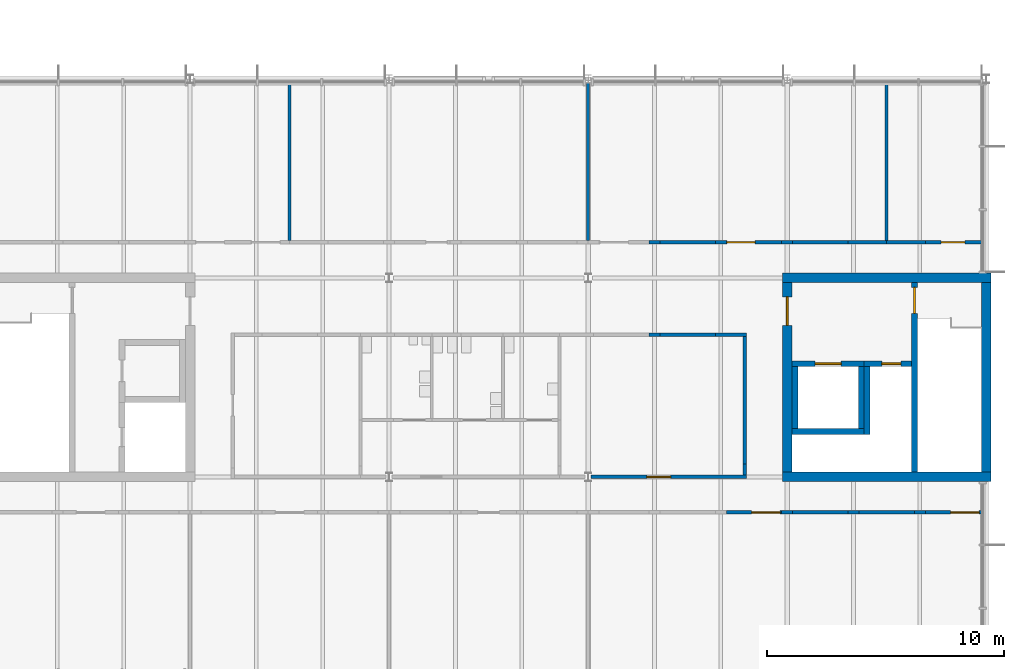
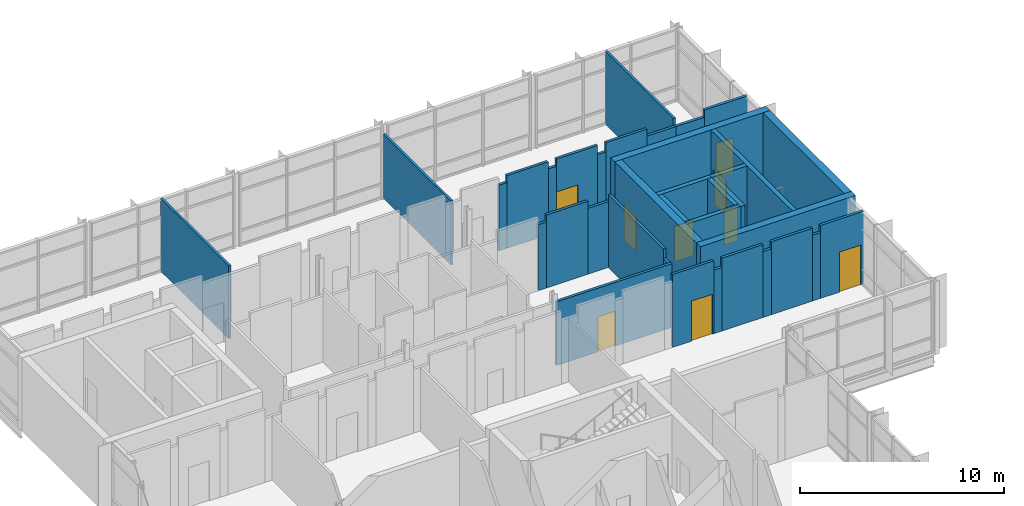
# One storey, part 39 of 76: 36 walls, 9 doors, 9 openings.
"""IFC4 building model written with IfcOpenShell, lengths in metres."""

from ifc_helpers import new_model, si_unit, direction, frame, frame_2d, origin, place, context, subcontext, project, spatial, rectangle, extrude, material, layer, layer_set, type_object, element, fill, save


model = new_model("IFC4")

# Units and contexts
model_context = context("Model", 3, precision=1e-05, world=origin(), true_north=direction((0.0, 1.0)))
body_context = subcontext(model_context, "Body", "Model", "MODEL_VIEW")
ifc_project = project(units=[si_unit("LENGTHUNIT", "METRE"), si_unit("AREAUNIT", "SQUARE_METRE"), si_unit("VOLUMEUNIT", "CUBIC_METRE"), si_unit("PLANEANGLEUNIT", "RADIAN"), si_unit("MASSUNIT", "GRAM", prefix="KILO")], contexts=[model_context])

# Site, building, storey
site_placement = place(None, origin())
site = spatial("IfcSite", under=ifc_project, at=site_placement, CompositionType="ELEMENT")
building_placement = place(site_placement, origin())
building = spatial("IfcBuilding", under=site, at=building_placement, Name="Hlaing Beacon Police Headquarters", CompositionType="ELEMENT")
storey_placement = place(building_placement, frame((0.0, 0.0, 18.89990234375)))
storey = spatial("IfcBuildingStorey", under=building, at=storey_placement, Name="L04", CompositionType="ELEMENT", Elevation=18.89990234375)

# Walls
ifc_material_1 = material(Name="Concrete C60/75", Category="concrete")
ifc_layer_1 = layer(ifc_material_1, 0.39990234375)
ifc_layer_set_1 = layer_set([ifc_layer_1], Name="Concrete C60/75")
wall_type_1 = type_object("IfcWallType", Name="Core shear wall 400", PredefinedType="SHEAR", material=ifc_layer_set_1)
for number, where, z_axis, x_axis, name in (
    (1, (125.800048828125, 75.60009765625, 0.0), (0.0, 0.0, 1.0), (1.0, 0.0, 0.0), "Core shear wall"),
    (2, (125.800048828125, 84.0, 0.0), (0.0, 0.0, 1.0), (1.0, 0.0, 0.0), "Core shear wall"),
):
    element("IfcWall", number, at=place(storey_placement, frame(where, z_axis=z_axis, x_axis=x_axis)), inside=storey, type_object=wall_type_1, Name=name, PredefinedType="SHEAR", context=body_context, shape_type="SweptSolid", body=[
        extrude(rectangle(XDim=8.800048828125, YDim=0.39990234375, at=frame_2d((4.39990234375, 0.0))), origin(), (0.0, 0.0, 1.0), 4.3701171875),
    ])

# Wall, opening, door
wall_1_placement = place(storey_placement, frame((126.0, 75.800048828125, 0.0), z_axis=(0.0, 0.0, 1.0), x_axis=(0.0, 1.0, 0.0)))
wall_1 = element("IfcWall", 3, at=wall_1_placement, inside=storey, type_object=wall_type_1, Name="Core shear wall", PredefinedType="SHEAR", context=body_context, shape_type="SweptSolid", body=[
    extrude(rectangle(XDim=8.0, YDim=0.39990234375, at=frame_2d((4.0, 0.0))), origin(), (0.0, 0.0, 1.0), 4.3701171875),
])
opening_1_placement = place(wall_1_placement, frame((6.199951171875, 0.0, 0.0)))
opening_1 = element("IfcOpeningElement", 4, at=opening_1_placement, cuts=wall_1, Name="Opening L04-936", PredefinedType="OPENING", context=body_context, shape_type="SweptSolid", body=[
    extrude(rectangle(XDim=1.199951171875, YDim=2.10009765625, at=frame_2d((0.60009765625, 1.050048828125))), frame((0.0, 0.2099609375, 0.0), z_axis=(0.0, -1.0, 0.0), x_axis=(1.0, 0.0, 0.0)), (0.0, 0.0, 1.0), 0.419921875),
])
ifc_material_2 = material(Name="Steel fire door leaf", Category="steel")
ifc_layer_2 = layer(ifc_material_2, 0.070068359375)
ifc_layer_set_2 = layer_set([ifc_layer_2], Name="Steel fire door leaf")
door_type_1 = type_object("IfcDoorType", Name="Steel fire door FD60S 1200x2100", OperationType="SINGLE_SWING_LEFT", PredefinedType="DOOR", material=ifc_layer_set_2)
door_1_placement = place(opening_1_placement, frame((1.199951171875, 0.0, 0.0), z_axis=(0.0, 0.0, 1.0), x_axis=(-1.0, 0.0, 0.0)))
door_1 = element("IfcDoor", 5, at=door_1_placement, inside=storey, type_object=door_type_1, Name="Door Firefighting Lobby Entry", OperationType="SINGLE_SWING_LEFT", OverallHeight=2.10009765625, OverallWidth=1.199951171875, PredefinedType="DOOR", context=body_context, shape_type="SweptSolid", body=[
    extrude(rectangle(XDim=1.199951171875, YDim=2.10009765625, at=frame_2d((0.599853515625, 1.050048828125))), frame((0.0, 0.034912109375, 0.0), z_axis=(0.0, -1.0, 0.0), x_axis=(1.0, 0.0, 0.0)), (0.0, 0.0, 1.0), 0.070068359375),
])
fill(opening_1, door_1)

# Wall
wall_2_placement = place(storey_placement, frame((134.39990234375, 75.800048828125, 0.0), z_axis=(0.0, 0.0, 1.0), x_axis=(0.0, 1.0, 0.0)))
element("IfcWall", 6, at=wall_2_placement, inside=storey, type_object=wall_type_1, Name="Core shear wall", PredefinedType="SHEAR", context=body_context, shape_type="SweptSolid", body=[
    extrude(rectangle(XDim=8.0, YDim=0.39990234375, at=frame_2d((4.0, 0.0))), origin(), (0.0, 0.0, 1.0), 4.3701171875),
])

# Wall, opening, door
ifc_material_3 = material(Name="Gypsum board partition")
ifc_layer_3 = layer(ifc_material_3, 0.14990234375)
ifc_layer_set_3 = layer_set([ifc_layer_3], Name="Gypsum board partition")
wall_type_2 = type_object("IfcWallType", Name="Corridor wall EI 30 150", PredefinedType="PARTITIONING", material=ifc_layer_set_3)
wall_3_placement = place(storey_placement, frame((117.72802734375, 75.60009765625, 0.0), z_axis=(0.0, 0.0, 1.0), x_axis=(1.0, 0.0, 0.0)))
wall_3 = element("IfcWall", 7, at=wall_3_placement, inside=storey, type_object=wall_type_2, Name="Corridor wall EI 30 150", PredefinedType="PARTITIONING", context=body_context, shape_type="SweptSolid", body=[
    extrude(rectangle(XDim=6.546875, YDim=0.14990234375, at=frame_2d((3.2734375, 0.0))), origin(), (0.0, 0.0, 1.0), 3.819091796875),
])
opening_2_placement = place(wall_3_placement, frame((2.35009765625, 0.0, 0.0)))
opening_2 = element("IfcOpeningElement", 8, at=opening_2_placement, cuts=wall_3, Name="Opening L04-026", PredefinedType="OPENING", context=body_context, shape_type="SweptSolid", body=[
    extrude(rectangle(XDim=1.0, YDim=2.10009765625, at=frame_2d((0.5, 1.050048828125))), frame((0.0, 0.0849609375, 0.0), z_axis=(0.0, -1.0, 0.0), x_axis=(1.0, 0.0, 0.0)), (0.0, 0.0, 1.0), 0.169921875),
])
ifc_material_4 = material(Name="Hardwood door leaf", Category="wood")
ifc_layer_4 = layer(ifc_material_4, 0.050048828125)
ifc_layer_set_4 = layer_set([ifc_layer_4], Name="Hardwood door leaf")
door_type_2 = type_object("IfcDoorType", Name="Fire door FD30S 1000x2100", OperationType="SINGLE_SWING_LEFT", PredefinedType="DOOR", material=ifc_layer_set_4)
door_2_placement = place(opening_2_placement, origin())
door_2 = element("IfcDoor", 9, at=door_2_placement, inside=storey, type_object=door_type_2, Name="Door Training Briefing Room", OperationType="SINGLE_SWING_LEFT", OverallHeight=2.10009765625, OverallWidth=1.0, PredefinedType="DOOR", context=body_context, shape_type="SweptSolid", body=[
    extrude(rectangle(XDim=1.0, YDim=2.10009765625, at=frame_2d((0.5, 1.050048828125))), frame((0.0, 0.02490234375, 0.0), z_axis=(0.0, -1.0, 0.0), x_axis=(1.0, 0.0, 0.0)), (0.0, 0.0, 1.0), 0.050048828125),
])
fill(opening_2, door_2)

# Walls
wall_4_placement = place(storey_placement, frame((120.169921875, 81.60009765625, 0.0), z_axis=(0.0, 0.0, 1.0), x_axis=(1.0, 0.0, 0.0)))
element("IfcWall", 10, at=wall_4_placement, inside=storey, type_object=wall_type_2, Name="Corridor wall EI 30 150", PredefinedType="PARTITIONING", context=body_context, shape_type="SweptSolid", body=[
    extrude(rectangle(XDim=0.4599609375, YDim=0.14990234375, at=frame_2d((0.22998046875, 0.0))), origin(), (0.0, 0.0, 1.0), 3.946044921875),
])
wall_5_placement = place(storey_placement, frame((120.6298828125, 81.60009765625, 0.0), z_axis=(0.0, 0.0, 1.0), x_axis=(1.0, 0.0, 0.0)))
element("IfcWall", 11, at=wall_5_placement, inside=storey, type_object=wall_type_2, Name="Corridor wall EI 30 150", PredefinedType="PARTITIONING", context=body_context, shape_type="SweptSolid", body=[
    extrude(rectangle(XDim=2.340087890625, YDim=0.14990234375, at=frame_2d((1.169921875, 0.0))), origin(), (0.0, 0.0, 1.0), 4.3701171875),
])
wall_6_placement = place(storey_placement, frame((122.969970703125, 81.60009765625, 0.0), z_axis=(0.0, 0.0, 1.0), x_axis=(1.0, 0.0, 0.0)))
element("IfcWall", 12, at=wall_6_placement, inside=storey, type_object=wall_type_2, Name="Corridor wall EI 30 150", PredefinedType="PARTITIONING", context=body_context, shape_type="SweptSolid", body=[
    extrude(rectangle(XDim=1.304931640625, YDim=0.14990234375, at=frame_2d((0.65234375, 0.0))), origin(), (0.0, 0.0, 1.0), 3.946044921875),
])
wall_7_placement = place(storey_placement, frame((124.199951171875, 75.675048828125, 0.0), z_axis=(0.0, 0.0, 1.0), x_axis=(0.0, 1.0, 0.0)))
element("IfcWall", 13, at=wall_7_placement, inside=storey, type_object=wall_type_2, Name="Corridor wall EI 30 150", PredefinedType="PARTITIONING", context=body_context, shape_type="SweptSolid", body=[
    extrude(rectangle(XDim=0.4599609375, YDim=0.14990234375, at=frame_2d((0.22998046875, 0.0))), origin(), (0.0, 0.0, 1.0), 3.819091796875),
])
wall_8_placement = place(storey_placement, frame((124.199951171875, 76.135009765625, 0.0), z_axis=(0.0, 0.0, 1.0), x_axis=(0.0, 1.0, 0.0)))
element("IfcWall", 14, at=wall_8_placement, inside=storey, type_object=wall_type_2, Name="Corridor wall EI 30 150", PredefinedType="PARTITIONING", context=body_context, shape_type="SweptSolid", body=[
    extrude(rectangle(XDim=5.389892578125, YDim=0.14990234375, at=frame_2d((2.69482421875, 0.0))), origin(), (0.0, 0.0, 1.0), 4.3701171875),
])
wall_9_placement = place(storey_placement, frame((120.169921875, 85.5, 0.0), z_axis=(0.0, 0.0, 1.0), x_axis=(1.0, 0.0, 0.0)))
element("IfcWall", 15, at=wall_9_placement, inside=storey, type_object=wall_type_2, Name="Corridor wall EI 30 150", PredefinedType="PARTITIONING", context=body_context, shape_type="SweptSolid", body=[
    extrude(rectangle(XDim=0.4599609375, YDim=0.14990234375, at=frame_2d((0.22998046875, 0.0))), origin(), (0.0, 0.0, 1.0), 3.946044921875),
])
wall_10_placement = place(storey_placement, frame((120.6298828125, 85.5, 0.0), z_axis=(0.0, 0.0, 1.0), x_axis=(1.0, 0.0, 0.0)))
element("IfcWall", 16, at=wall_10_placement, inside=storey, type_object=wall_type_2, Name="Corridor wall EI 30 150", PredefinedType="PARTITIONING", context=body_context, shape_type="SweptSolid", body=[
    extrude(rectangle(XDim=2.340087890625, YDim=0.14990234375, at=frame_2d((1.169921875, 0.0))), origin(), (0.0, 0.0, 1.0), 4.3701171875),
])
wall_11_placement = place(storey_placement, frame((122.969970703125, 85.5, 0.0), z_axis=(0.0, 0.0, 1.0), x_axis=(1.0, 0.0, 0.0)))
element("IfcWall", 17, at=wall_11_placement, inside=storey, type_object=wall_type_2, Name="Corridor wall EI 30 150", PredefinedType="PARTITIONING", context=body_context, shape_type="SweptSolid", body=[
    extrude(rectangle(XDim=0.4599609375, YDim=0.14990234375, at=frame_2d((0.22998046875, 0.0))), origin(), (0.0, 0.0, 1.0), 3.946044921875),
])

# Wall, opening, door
wall_12_placement = place(storey_placement, frame((123.429931640625, 85.5, 0.0), z_axis=(0.0, 0.0, 1.0), x_axis=(1.0, 0.0, 0.0)))
wall_12 = element("IfcWall", 18, at=wall_12_placement, inside=storey, type_object=wall_type_2, Name="Corridor wall EI 30 150", PredefinedType="PARTITIONING", context=body_context, shape_type="SweptSolid", body=[
    extrude(rectangle(XDim=2.340087890625, YDim=0.14990234375, at=frame_2d((1.169921875, 0.0))), origin(), (0.0, 0.0, 1.0), 4.3701171875),
])
opening_3_placement = place(wall_12_placement, frame((0.02001953125, 0.0, 0.0)))
opening_3 = element("IfcOpeningElement", 19, at=opening_3_placement, cuts=wall_12, Name="Opening L04-031", PredefinedType="OPENING", context=body_context, shape_type="SweptSolid", body=[
    extrude(rectangle(XDim=1.199951171875, YDim=2.39990234375, at=frame_2d((0.60009765625, 1.199951171875))), frame((0.0, 0.0849609375, 0.0), z_axis=(0.0, -1.0, 0.0), x_axis=(1.0, 0.0, 0.0)), (0.0, 0.0, 1.0), 0.169921875),
])
ifc_material_5 = material(Name="Hardwood door leaf", Category="wood")
ifc_layer_5 = layer(ifc_material_5, 0.050048828125)
ifc_layer_set_5 = layer_set([ifc_layer_5], Name="Hardwood door leaf")
door_type_3 = type_object("IfcDoorType", Name="Fire public door FD30S 1200x2400", OperationType="SINGLE_SWING_LEFT", PredefinedType="DOOR", material=ifc_layer_set_5)
door_3_placement = place(opening_3_placement, frame((1.199951171875, 0.0, 0.0), z_axis=(0.0, 0.0, 1.0), x_axis=(-1.0, 0.0, 0.0)))
door_3 = element("IfcDoor", 20, at=door_3_placement, inside=storey, type_object=door_type_3, Name="Door First Aid Training Room", OperationType="SINGLE_SWING_LEFT", OverallHeight=2.39990234375, OverallWidth=1.199951171875, PredefinedType="DOOR", context=body_context, shape_type="SweptSolid", body=[
    extrude(rectangle(XDim=1.199951171875, YDim=2.39990234375, at=frame_2d((0.599853515625, 1.199951171875))), frame((0.0, 0.025146484375, 0.0), z_axis=(0.0, -1.0, 0.0), x_axis=(1.0, 0.0, 0.0)), (0.0, 0.0, 1.0), 0.050048828125),
])
fill(opening_3, door_3)

# Walls
wall_13_placement = place(storey_placement, frame((125.77001953125, 85.5, 0.0), z_axis=(0.0, 0.0, 1.0), x_axis=(1.0, 0.0, 0.0)))
element("IfcWall", 21, at=wall_13_placement, inside=storey, type_object=wall_type_2, Name="Corridor wall EI 30 150", PredefinedType="PARTITIONING", context=body_context, shape_type="SweptSolid", body=[
    extrude(rectangle(XDim=0.4599609375, YDim=0.14990234375, at=frame_2d((0.22998046875, 0.0))), origin(), (0.0, 0.0, 1.0), 3.819091796875),
])
wall_14_placement = place(storey_placement, frame((126.22998046875, 85.5, 0.0), z_axis=(0.0, 0.0, 1.0), x_axis=(1.0, 0.0, 0.0)))
element("IfcWall", 22, at=wall_14_placement, inside=storey, type_object=wall_type_2, Name="Corridor wall EI 30 150", PredefinedType="PARTITIONING", context=body_context, shape_type="SweptSolid", body=[
    extrude(rectangle(XDim=2.340087890625, YDim=0.14990234375, at=frame_2d((1.169921875, 0.0))), origin(), (0.0, 0.0, 1.0), 4.3701171875),
])
wall_15_placement = place(storey_placement, frame((128.570068359375, 85.5, 0.0), z_axis=(0.0, 0.0, 1.0), x_axis=(1.0, 0.0, 0.0)))
element("IfcWall", 23, at=wall_15_placement, inside=storey, type_object=wall_type_2, Name="Corridor wall EI 30 150", PredefinedType="PARTITIONING", context=body_context, shape_type="SweptSolid", body=[
    extrude(rectangle(XDim=1.6298828125, YDim=0.14990234375, at=frame_2d((0.81494140625, 0.0))), origin(), (0.0, 0.0, 1.0), 3.946044921875),
])
wall_16_placement = place(storey_placement, frame((130.199951171875, 85.5, 0.0), z_axis=(0.0, 0.0, 1.0), x_axis=(1.0, 0.0, 0.0)))
element("IfcWall", 24, at=wall_16_placement, inside=storey, type_object=wall_type_2, Name="Corridor wall EI 30 150", PredefinedType="PARTITIONING", context=body_context, shape_type="SweptSolid", body=[
    extrude(rectangle(XDim=1.630126953125, YDim=0.14990234375, at=frame_2d((0.81494140625, 0.0))), origin(), (0.0, 0.0, 1.0), 3.946044921875),
])

# Wall, opening, door
wall_17_placement = place(storey_placement, frame((131.830078125, 85.5, 0.0), z_axis=(0.0, 0.0, 1.0), x_axis=(1.0, 0.0, 0.0)))
wall_17 = element("IfcWall", 25, at=wall_17_placement, inside=storey, type_object=wall_type_2, Name="Corridor wall EI 30 150", PredefinedType="PARTITIONING", context=body_context, shape_type="SweptSolid", body=[
    extrude(rectangle(XDim=2.419921875, YDim=0.14990234375, at=frame_2d((1.2099609375, 0.0))), origin(), (0.0, 0.0, 1.0), 4.3701171875),
])
opening_4_placement = place(wall_17_placement, frame((0.669921875, 0.0, 0.0)))
opening_4 = element("IfcOpeningElement", 26, at=opening_4_placement, cuts=wall_17, Name="Opening L04-032", PredefinedType="OPENING", context=body_context, shape_type="SweptSolid", body=[
    extrude(rectangle(XDim=1.0, YDim=2.10009765625, at=frame_2d((0.5, 1.050048828125))), frame((0.0, 0.0849609375, 0.0), z_axis=(0.0, -1.0, 0.0), x_axis=(1.0, 0.0, 0.0)), (0.0, 0.0, 1.0), 0.169921875),
])
door_4_placement = place(opening_4_placement, origin())
door_4 = element("IfcDoor", 27, at=door_4_placement, inside=storey, type_object=door_type_2, Name="Door Training Staff Welfare Room", OperationType="SINGLE_SWING_LEFT", OverallHeight=2.10009765625, OverallWidth=1.0, PredefinedType="DOOR", context=body_context, shape_type="SweptSolid", body=[
    extrude(rectangle(XDim=1.0, YDim=2.10009765625, at=frame_2d((0.5, 1.050048828125))), frame((0.0, 0.02490234375, 0.0), z_axis=(0.0, -1.0, 0.0), x_axis=(1.0, 0.0, 0.0)), (0.0, 0.0, 1.0), 0.050048828125),
])
fill(opening_4, door_4)

wall_18_placement = place(storey_placement, frame((123.429931640625, 74.10009765625, 0.0), z_axis=(0.0, 0.0, 1.0), x_axis=(1.0, 0.0, 0.0)))
wall_18 = element("IfcWall", 28, at=wall_18_placement, inside=storey, type_object=wall_type_2, Name="Corridor wall EI 30 150", PredefinedType="PARTITIONING", context=body_context, shape_type="SweptSolid", body=[
    extrude(rectangle(XDim=2.340087890625, YDim=0.14990234375, at=frame_2d((1.169921875, 0.0))), origin(), (0.0, 0.0, 1.0), 4.3701171875),
])
opening_5_placement = place(wall_18_placement, frame((1.070068359375, 0.0, 0.0)))
opening_5 = element("IfcOpeningElement", 29, at=opening_5_placement, cuts=wall_18, Name="Opening L04-036", PredefinedType="OPENING", context=body_context, shape_type="SweptSolid", body=[
    extrude(rectangle(XDim=1.199951171875, YDim=2.39990234375, at=frame_2d((0.60009765625, 1.199951171875))), frame((0.0, 0.0849609375, 0.0), z_axis=(0.0, -1.0, 0.0), x_axis=(1.0, 0.0, 0.0)), (0.0, 0.0, 1.0), 0.169921875),
])
door_5_placement = place(opening_5_placement, origin())
door_5 = element("IfcDoor", 30, at=door_5_placement, inside=storey, type_object=door_type_3, Name="Door Training Simulation Suite 3", OperationType="SINGLE_SWING_LEFT", OverallHeight=2.39990234375, OverallWidth=1.199951171875, PredefinedType="DOOR", context=body_context, shape_type="SweptSolid", body=[
    extrude(rectangle(XDim=1.199951171875, YDim=2.39990234375, at=frame_2d((0.60009765625, 1.199951171875))), frame((0.0, 0.02490234375, 0.0), z_axis=(0.0, -1.0, 0.0), x_axis=(1.0, 0.0, 0.0)), (0.0, 0.0, 1.0), 0.050048828125),
])
fill(opening_5, door_5)

# Walls
wall_19_placement = place(storey_placement, frame((125.77001953125, 74.10009765625, 0.0), z_axis=(0.0, 0.0, 1.0), x_axis=(1.0, 0.0, 0.0)))
element("IfcWall", 31, at=wall_19_placement, inside=storey, type_object=wall_type_2, Name="Corridor wall EI 30 150", PredefinedType="PARTITIONING", context=body_context, shape_type="SweptSolid", body=[
    extrude(rectangle(XDim=0.4599609375, YDim=0.14990234375, at=frame_2d((0.22998046875, 0.0))), origin(), (0.0, 0.0, 1.0), 3.819091796875),
])
wall_20_placement = place(storey_placement, frame((126.22998046875, 74.10009765625, 0.0), z_axis=(0.0, 0.0, 1.0), x_axis=(1.0, 0.0, 0.0)))
element("IfcWall", 32, at=wall_20_placement, inside=storey, type_object=wall_type_2, Name="Corridor wall EI 30 150", PredefinedType="PARTITIONING", context=body_context, shape_type="SweptSolid", body=[
    extrude(rectangle(XDim=2.340087890625, YDim=0.14990234375, at=frame_2d((1.169921875, 0.0))), origin(), (0.0, 0.0, 1.0), 4.3701171875),
])
wall_21_placement = place(storey_placement, frame((128.570068359375, 74.10009765625, 0.0), z_axis=(0.0, 0.0, 1.0), x_axis=(1.0, 0.0, 0.0)))
element("IfcWall", 33, at=wall_21_placement, inside=storey, type_object=wall_type_2, Name="Corridor wall EI 30 150", PredefinedType="PARTITIONING", context=body_context, shape_type="SweptSolid", body=[
    extrude(rectangle(XDim=0.4599609375, YDim=0.14990234375, at=frame_2d((0.22998046875, 0.0))), origin(), (0.0, 0.0, 1.0), 3.946044921875),
])
wall_22_placement = place(storey_placement, frame((129.030029296875, 74.10009765625, 0.0), z_axis=(0.0, 0.0, 1.0), x_axis=(1.0, 0.0, 0.0)))
element("IfcWall", 34, at=wall_22_placement, inside=storey, type_object=wall_type_2, Name="Corridor wall EI 30 150", PredefinedType="PARTITIONING", context=body_context, shape_type="SweptSolid", body=[
    extrude(rectangle(XDim=2.340087890625, YDim=0.14990234375, at=frame_2d((1.169921875, 0.0))), origin(), (0.0, 0.0, 1.0), 4.3701171875),
])
wall_23_placement = place(storey_placement, frame((131.3701171875, 74.10009765625, 0.0), z_axis=(0.0, 0.0, 1.0), x_axis=(1.0, 0.0, 0.0)))
element("IfcWall", 35, at=wall_23_placement, inside=storey, type_object=wall_type_2, Name="Corridor wall EI 30 150", PredefinedType="PARTITIONING", context=body_context, shape_type="SweptSolid", body=[
    extrude(rectangle(XDim=0.4599609375, YDim=0.14990234375, at=frame_2d((0.22998046875, 0.0))), origin(), (0.0, 0.0, 1.0), 3.946044921875),
])

# Wall, opening, door
wall_24_placement = place(storey_placement, frame((131.830078125, 74.10009765625, 0.0), z_axis=(0.0, 0.0, 1.0), x_axis=(1.0, 0.0, 0.0)))
wall_24 = element("IfcWall", 36, at=wall_24_placement, inside=storey, type_object=wall_type_2, Name="Corridor wall EI 30 150", PredefinedType="PARTITIONING", context=body_context, shape_type="SweptSolid", body=[
    extrude(rectangle(XDim=2.419921875, YDim=0.14990234375, at=frame_2d((1.2099609375, 0.0))), origin(), (0.0, 0.0, 1.0), 4.3701171875),
])
opening_6_placement = place(wall_24_placement, frame((1.070068359375, 0.0, 0.0)))
opening_6 = element("IfcOpeningElement", 37, at=opening_6_placement, cuts=wall_24, Name="Opening L04-037", PredefinedType="OPENING", context=body_context, shape_type="SweptSolid", body=[
    extrude(rectangle(XDim=1.199951171875, YDim=2.39990234375, at=frame_2d((0.60009765625, 1.199951171875))), frame((0.0, 0.0849609375, 0.0), z_axis=(0.0, -1.0, 0.0), x_axis=(1.0, 0.0, 0.0)), (0.0, 0.0, 1.0), 0.169921875),
])
door_6_placement = place(opening_6_placement, origin())
door_6 = element("IfcDoor", 38, at=door_6_placement, inside=storey, type_object=door_type_3, Name="Door Training Simulation Suite 3", OperationType="SINGLE_SWING_RIGHT", OverallHeight=2.39990234375, OverallWidth=1.199951171875, PredefinedType="DOOR", context=body_context, shape_type="SweptSolid", body=[
    extrude(rectangle(XDim=1.199951171875, YDim=2.39990234375, at=frame_2d((0.60009765625, 1.199951171875))), frame((0.0, 0.02490234375, 0.0), z_axis=(0.0, -1.0, 0.0), x_axis=(1.0, 0.0, 0.0)), (0.0, 0.0, 1.0), 0.050048828125),
])
fill(opening_6, door_6)

# Walls
ifc_material_6 = material(Name="Gypsum board partition")
ifc_layer_6 = layer(ifc_material_6, 0.125)
ifc_layer_set_6 = layer_set([ifc_layer_6], Name="Gypsum board partition")
wall_type_3 = type_object("IfcWallType", Name="Partition 125", PredefinedType="PARTITIONING", material=ifc_layer_set_6)
wall_25_placement = place(storey_placement, frame((105.0, 85.574951171875, 0.0), z_axis=(0.0, 0.0, 1.0), x_axis=(0.0, 1.0, 0.0)))
element("IfcWall", 39, at=wall_25_placement, inside=storey, type_object=wall_type_3, Name="Partition 125", PredefinedType="PARTITIONING", context=body_context, shape_type="SweptSolid", body=[
    extrude(rectangle(XDim=6.675048828125, YDim=0.125, at=frame_2d((3.33740234375, 0.0))), origin(), (0.0, 0.0, 1.0), 4.3701171875),
])
wall_26_placement = place(storey_placement, frame((117.60009765625, 85.574951171875, 0.0), z_axis=(0.0, 0.0, 1.0), x_axis=(0.0, 1.0, 0.0)))
element("IfcWall", 40, at=wall_26_placement, inside=storey, type_object=wall_type_3, Name="Partition 125", PredefinedType="PARTITIONING", context=body_context, shape_type="SweptSolid", body=[
    extrude(rectangle(XDim=6.64404296875, YDim=0.125, at=frame_2d((3.322021484375, 0.0))), origin(), (0.0, 0.0, 1.0), 3.819091796875),
])
wall_27_placement = place(storey_placement, frame((130.199951171875, 85.574951171875, 0.0), z_axis=(0.0, 0.0, 1.0), x_axis=(0.0, 1.0, 0.0)))
element("IfcWall", 41, at=wall_27_placement, inside=storey, type_object=wall_type_3, Name="Partition 125", PredefinedType="PARTITIONING", context=body_context, shape_type="SweptSolid", body=[
    extrude(rectangle(XDim=6.675048828125, YDim=0.125, at=frame_2d((3.33740234375, 0.0))), origin(), (0.0, 0.0, 1.0), 4.3701171875),
])

# Wall, opening, door
ifc_material_7 = material(Name="Concrete C40/50", Category="concrete")
ifc_layer_7 = layer(ifc_material_7, 0.25)
ifc_layer_set_7 = layer_set([ifc_layer_7], Name="Concrete C40/50")
wall_type_4 = type_object("IfcWallType", Name="Shaft wall 250", PredefinedType="SOLIDWALL", material=ifc_layer_set_7)
wall_28_placement = place(storey_placement, frame((131.375, 83.800048828125, 0.0), z_axis=(0.0, 0.0, 1.0), x_axis=(0.0, -1.0, 0.0)))
wall_28 = element("IfcWall", 42, at=wall_28_placement, inside=storey, type_object=wall_type_4, Name="Stair enclosure wall", PredefinedType="SOLIDWALL", context=body_context, shape_type="SweptSolid", body=[
    extrude(rectangle(XDim=8.0, YDim=0.25, at=frame_2d((4.0, 0.0))), origin(), (0.0, 0.0, 1.0), 4.3701171875),
])
opening_7_placement = place(wall_28_placement, frame((0.199951171875, 0.0, 0.0)))
opening_7 = element("IfcOpeningElement", 43, at=opening_7_placement, cuts=wall_28, Name="Opening L04-938", PredefinedType="OPENING", context=body_context, shape_type="SweptSolid", body=[
    extrude(rectangle(XDim=1.10009765625, YDim=2.10009765625, at=frame_2d((0.550048828125, 1.050048828125))), frame((0.0, 0.135009765625, 0.0), z_axis=(0.0, -1.0, 0.0), x_axis=(1.0, 0.0, 0.0)), (0.0, 0.0, 1.0), 0.27001953125),
])
ifc_material_8 = material(Name="Steel fire door leaf", Category="steel")
ifc_layer_8 = layer(ifc_material_8, 0.070068359375)
ifc_layer_set_8 = layer_set([ifc_layer_8], Name="Steel fire door leaf")
door_type_4 = type_object("IfcDoorType", Name="Steel fire door FD60 1100x2100", OperationType="SINGLE_SWING_LEFT", PredefinedType="DOOR", material=ifc_layer_set_8)
door_7_placement = place(opening_7_placement, origin())
door_7 = element("IfcDoor", 44, at=door_7_placement, inside=storey, type_object=door_type_4, Name="Door Stair ST-R", OperationType="SINGLE_SWING_RIGHT", OverallHeight=2.10009765625, OverallWidth=1.10009765625, PredefinedType="DOOR", context=body_context, shape_type="SweptSolid", body=[
    extrude(rectangle(XDim=1.10009765625, YDim=2.10009765625, at=frame_2d((0.550048828125, 1.050048828125))), frame((0.0, 0.03515625, 0.0), z_axis=(0.0, -1.0, 0.0), x_axis=(1.0, 0.0, 0.0)), (0.0, 0.0, 1.0), 0.070068359375),
])
fill(opening_7, door_7)

wall_29_placement = place(storey_placement, frame((131.25, 80.375, 0.0), z_axis=(0.0, 0.0, 1.0), x_axis=(-1.0, 0.0, 0.0)))
wall_29 = element("IfcWall", 45, at=wall_29_placement, inside=storey, type_object=wall_type_4, Name="Firefighting lobby wall", PredefinedType="SOLIDWALL", context=body_context, shape_type="SweptSolid", body=[
    extrude(rectangle(XDim=2.0, YDim=0.25, at=frame_2d((1.0, 0.0))), origin(), (0.0, 0.0, 1.0), 4.3701171875),
])
opening_8_placement = place(wall_29_placement, frame((0.449951171875, 0.0, 0.0)))
opening_8 = element("IfcOpeningElement", 46, at=opening_8_placement, cuts=wall_29, Name="Opening L04-937", PredefinedType="OPENING", context=body_context, shape_type="SweptSolid", body=[
    extrude(rectangle(XDim=0.800048828125, YDim=2.10009765625, at=frame_2d((0.39990234375, 1.050048828125))), frame((0.0, 0.135009765625, 0.0), z_axis=(0.0, -1.0, 0.0), x_axis=(1.0, 0.0, 0.0)), (0.0, 0.0, 1.0), 0.27001953125),
])
ifc_material_9 = material(Name="Steel fire door leaf", Category="steel")
ifc_layer_9 = layer(ifc_material_9, 0.070068359375)
ifc_layer_set_9 = layer_set([ifc_layer_9], Name="Steel fire door leaf")
door_type_5 = type_object("IfcDoorType", Name="Steel fire door FD60 800x2100", OperationType="SINGLE_SWING_LEFT", PredefinedType="DOOR", material=ifc_layer_set_9)
door_8_placement = place(opening_8_placement, origin())
door_8 = element("IfcDoor", 47, at=door_8_placement, inside=storey, type_object=door_type_5, Name="Door Services Riser", OperationType="SINGLE_SWING_RIGHT", OverallHeight=2.10009765625, OverallWidth=0.800048828125, PredefinedType="DOOR", context=body_context, shape_type="SweptSolid", body=[
    extrude(rectangle(XDim=0.800048828125, YDim=2.10009765625, at=frame_2d((0.39990234375, 1.050048828125))), frame((0.0, 0.03515625, 0.0), z_axis=(0.0, -1.0, 0.0), x_axis=(1.0, 0.0, 0.0)), (0.0, 0.0, 1.0), 0.070068359375),
])
fill(opening_8, door_8)

# Walls
wall_30_placement = place(storey_placement, frame((129.375, 80.25, 0.0), z_axis=(0.0, 0.0, 1.0), x_axis=(0.0, -1.0, 0.0)))
element("IfcWall", 48, at=wall_30_placement, inside=storey, type_object=wall_type_4, Name="Riser wall", PredefinedType="SOLIDWALL", context=body_context, shape_type="SweptSolid", body=[
    extrude(rectangle(XDim=2.85009765625, YDim=0.25, at=frame_2d((1.425048828125, 0.0))), origin(), (0.0, 0.0, 1.0), 4.3701171875),
])
wall_31_placement = place(storey_placement, frame((129.125, 77.64990234375, 0.0), z_axis=(0.0, 0.0, 1.0), x_axis=(0.0, 1.0, 0.0)))
element("IfcWall", 49, at=wall_31_placement, inside=storey, type_object=wall_type_4, Name="Lift shaft wall FL3", PredefinedType="SOLIDWALL", context=body_context, shape_type="SweptSolid", body=[
    extrude(rectangle(XDim=2.60009765625, YDim=0.25, at=frame_2d((1.300048828125, 0.0))), origin(), (0.0, 0.0, 1.0), 4.3701171875),
])

# Wall, opening, door
wall_32_placement = place(storey_placement, frame((126.199951171875, 80.375, 0.0), z_axis=(0.0, 0.0, 1.0), x_axis=(1.0, 0.0, 0.0)))
wall_32 = element("IfcWall", 50, at=wall_32_placement, inside=storey, type_object=wall_type_4, Name="Lift shaft wall FL3", PredefinedType="SOLIDWALL", context=body_context, shape_type="SweptSolid", body=[
    extrude(rectangle(XDim=3.050048828125, YDim=0.25, at=frame_2d((1.52490234375, 0.0))), origin(), (0.0, 0.0, 1.0), 4.3701171875),
])
opening_9_placement = place(wall_32_placement, frame((0.97509765625, 0.0, 0.0)))
opening_9 = element("IfcOpeningElement", 51, at=opening_9_placement, cuts=wall_32, Name="Opening LD-FL3-L04", PredefinedType="OPENING", context=body_context, shape_type="SweptSolid", body=[
    extrude(rectangle(XDim=1.10009765625, YDim=2.10009765625, at=frame_2d((0.550048828125, 1.050048828125))), frame((0.0, 0.135009765625, 0.0), z_axis=(0.0, -1.0, 0.0), x_axis=(1.0, 0.0, 0.0)), (0.0, 0.0, 1.0), 0.27001953125),
])
ifc_material_10 = material(Name="Stainless steel lift landing door", Category="steel")
ifc_layer_10 = layer(ifc_material_10, 0.06005859375)
ifc_layer_set_10 = layer_set([ifc_layer_10], Name="Stainless steel lift landing door")
door_type_6 = type_object("IfcDoorType", Name="Lift landing door 1100x2100", OperationType="DOUBLE_DOOR_SLIDING", PredefinedType="DOOR", material=ifc_layer_set_10)
door_9_placement = place(opening_9_placement, origin())
door_9 = element("IfcDoor", 52, at=door_9_placement, inside=storey, type_object=door_type_6, Name="Landing door FL3 L04", OperationType="DOUBLE_DOOR_SLIDING", OverallHeight=2.10009765625, OverallWidth=1.10009765625, PredefinedType="DOOR", context=body_context, shape_type="SweptSolid", body=[
    extrude(rectangle(XDim=1.10009765625, YDim=2.10009765625, at=frame_2d((0.550048828125, 1.050048828125))), frame((0.0, 0.0400390625, 0.0), z_axis=(0.0, -1.0, 0.0), x_axis=(1.0, 0.0, 0.0)), (0.0, 0.0, 1.0), 0.080078125),
])
fill(opening_9, door_9)

# Walls
wall_33_placement = place(storey_placement, frame((126.199951171875, 77.52490234375, 0.0), z_axis=(0.0, 0.0, 1.0), x_axis=(1.0, 0.0, 0.0)))
element("IfcWall", 53, at=wall_33_placement, inside=storey, type_object=wall_type_4, Name="Lift shaft wall FL3", PredefinedType="SOLIDWALL", context=body_context, shape_type="SweptSolid", body=[
    extrude(rectangle(XDim=3.050048828125, YDim=0.25, at=frame_2d((1.52490234375, 0.0))), origin(), (0.0, 0.0, 1.0), 4.3701171875),
])
wall_34_placement = place(storey_placement, frame((126.324951171875, 77.64990234375, 0.0), z_axis=(0.0, 0.0, 1.0), x_axis=(0.0, 1.0, 0.0)))
element("IfcWall", 54, at=wall_34_placement, inside=storey, type_object=wall_type_4, Name="Lift shaft wall FL3", PredefinedType="SOLIDWALL", context=body_context, shape_type="SweptSolid", body=[
    extrude(rectangle(XDim=2.60009765625, YDim=0.25, at=frame_2d((1.300048828125, 0.0))), origin(), (0.0, 0.0, 1.0), 4.3701171875),
])

save(model, "model.ifc")
